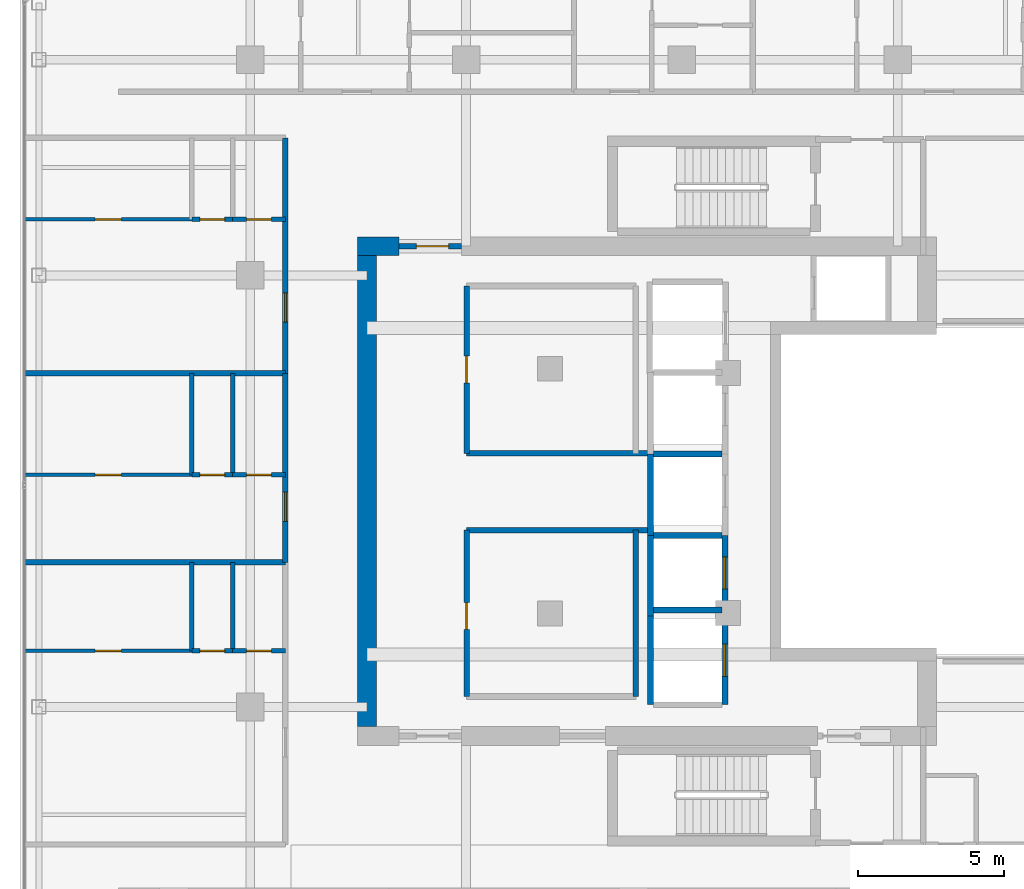
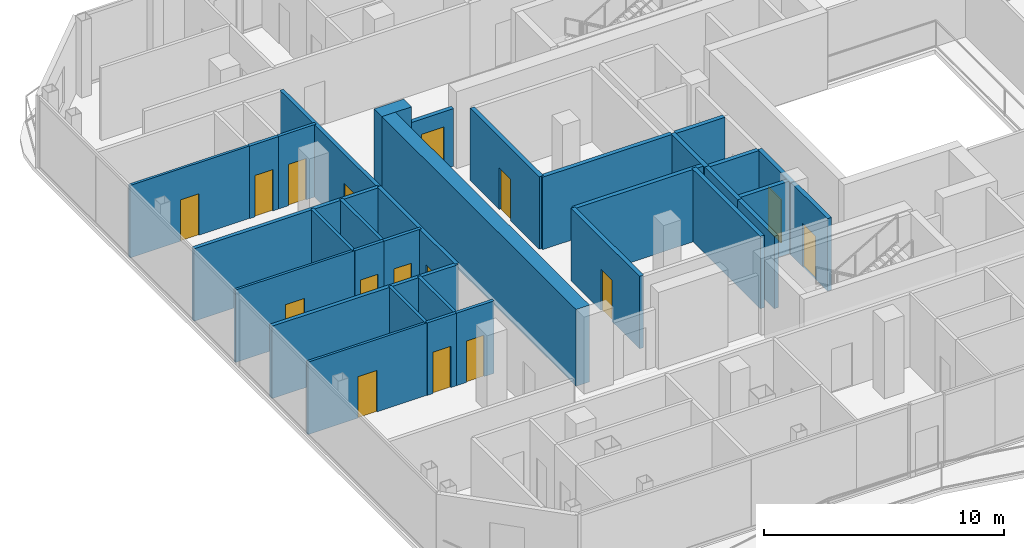
# One storey, part 17 of 23: 33 walls, 16 doors, 16 openings.
"""IFC4 building model written with IfcOpenShell, lengths in metres."""

from ifc_helpers import new_model, si_unit, direction, frame, frame_2d, origin, place, context, subcontext, project, spatial, rectangle, extrude, material, layer, layer_set, type_object, element, fill, save


model = new_model("IFC4")

# Units and contexts
model_context = context("Model", 3, precision=1e-05, world=origin(), true_north=direction((0.0, 1.0)))
body_context = subcontext(model_context, "Body", "Model", "MODEL_VIEW")
ifc_project = project(units=[si_unit("LENGTHUNIT", "METRE"), si_unit("AREAUNIT", "SQUARE_METRE"), si_unit("VOLUMEUNIT", "CUBIC_METRE"), si_unit("PLANEANGLEUNIT", "RADIAN"), si_unit("MASSUNIT", "GRAM", prefix="KILO")], contexts=[model_context])

# Site, building, storey
site_placement = place(None, origin())
site = spatial("IfcSite", under=ifc_project, at=site_placement, CompositionType="ELEMENT")
building_placement = place(site_placement, origin())
building = spatial("IfcBuilding", under=site, at=building_placement, Name="Khorvyn Point Tower", CompositionType="ELEMENT")
storey_placement = place(building_placement, frame((0.0, 0.0, 297.60009765625)))
storey = spatial("IfcBuildingStorey", under=building, at=storey_placement, Name="L73", CompositionType="ELEMENT", Elevation=297.60009765625)

# Wall, opening, door
ifc_material_1 = material(Name="Double acoustic gypsum on twin steel stud", Category="steel")
ifc_layer_1 = layer(ifc_material_1, 0.179931640625)
ifc_layer_set_1 = layer_set([ifc_layer_1], Name="Acoustic Double-Stud Apartment Demising Wall 180")
wall_type_1 = type_object("IfcWallType", Name="Acoustic Double-Stud Apartment Demising Wall 180", PredefinedType="PARTITIONING", material=ifc_layer_set_1)
wall_1_placement = place(storey_placement, frame((-13.60009765625, -2.43994140625, 0.0), z_axis=(0.0, 0.0, 1.0), x_axis=(0.0, 1.0, 0.0)))
wall_1 = element("IfcWall", 1, at=wall_1_placement, inside=storey, type_object=wall_type_1, Name="Wall", PredefinedType="PARTITIONING", context=body_context, shape_type="SweptSolid", body=[
    extrude(rectangle(XDim=6.47998046875, YDim=0.179931640625, at=frame_2d((3.239990234375, 0.0))), origin(), (0.0, 0.0, 1.0), 3.679931640625),
])
opening_1_placement = place(wall_1_placement, frame((1.405517578125, 0.0, 0.0)))
opening_1 = element("IfcOpeningElement", 2, at=opening_1_placement, cuts=wall_1, Name="Opening ID-AP60", PredefinedType="OPENING", context=body_context, shape_type="SweptSolid", body=[
    extrude(rectangle(XDim=1.0, YDim=2.199951171875, at=frame_2d((0.5, 1.10009765625))), frame((0.0, 0.099853515625, 0.0), z_axis=(0.0, -1.0, 0.0), x_axis=(1.0, 0.0, 0.0)), (0.0, 0.0, 1.0), 0.199951171875),
])
ifc_material_2 = material(Name="Engineered hardwood fire-rated leaf", Category="wood")
door_type_1 = type_object("IfcDoorType", Name="Acoustic Solid-Core Timber Apartment Entrance Door 1000x2200", OperationType="NOTDEFINED", PredefinedType="DOOR", material=ifc_material_2)
door_1_placement = place(opening_1_placement, origin())
door_1 = element("IfcDoor", 3, at=door_1_placement, inside=storey, type_object=door_type_1, Name="Door", OperationType="SINGLE_SWING_LEFT", OverallHeight=2.199951171875, OverallWidth=1.0, PredefinedType="DOOR", context=body_context, shape_type="SweptSolid", body=[
    extrude(rectangle(XDim=1.0, YDim=2.199951171875, at=frame_2d((0.5, 1.10009765625))), frame((0.0, 0.02490234375, 0.0), z_axis=(0.0, -1.0, 0.0), x_axis=(1.0, 0.0, 0.0)), (0.0, 0.0, 1.0), 0.050048828125),
])
fill(opening_1, door_1)

wall_2_placement = place(storey_placement, frame((-13.60009765625, 4.0400390625, 0.0), z_axis=(0.0, 0.0, 1.0), x_axis=(0.0, 1.0, 0.0)))
wall_2 = element("IfcWall", 4, at=wall_2_placement, inside=storey, type_object=wall_type_1, Name="Wall", PredefinedType="PARTITIONING", context=body_context, shape_type="SweptSolid", body=[
    extrude(rectangle(XDim=8.080078125, YDim=0.179931640625, at=frame_2d((4.0400390625, 0.0))), origin(), (0.0, 0.0, 1.0), 3.679931640625),
])
opening_2_placement = place(wall_2_placement, frame((1.760986328125, 0.0, 0.0)))
opening_2 = element("IfcOpeningElement", 5, at=opening_2_placement, cuts=wall_2, Name="Opening ID-AP60", PredefinedType="OPENING", context=body_context, shape_type="SweptSolid", body=[
    extrude(rectangle(XDim=1.0, YDim=2.199951171875, at=frame_2d((0.5, 1.10009765625))), frame((0.0, 0.099853515625, 0.0), z_axis=(0.0, -1.0, 0.0), x_axis=(1.0, 0.0, 0.0)), (0.0, 0.0, 1.0), 0.199951171875),
])
door_2_placement = place(opening_2_placement, origin())
door_2 = element("IfcDoor", 6, at=door_2_placement, inside=storey, type_object=door_type_1, Name="Door", OperationType="SINGLE_SWING_LEFT", OverallHeight=2.199951171875, OverallWidth=1.0, PredefinedType="DOOR", context=body_context, shape_type="SweptSolid", body=[
    extrude(rectangle(XDim=1.0, YDim=2.199951171875, at=frame_2d((0.5, 1.10009765625))), frame((0.0, 0.02490234375, 0.0), z_axis=(0.0, -1.0, 0.0), x_axis=(1.0, 0.0, 0.0)), (0.0, 0.0, 1.0), 0.050048828125),
])
fill(opening_2, door_2)

# Walls
for number, where, z_axis, x_axis, name in (
    (7, (-22.530029296875, -2.43994140625, 0.0), (0.0, 0.0, 1.0), (1.0, 0.0, 0.0), "Wall"),
    (8, (-22.530029296875, 4.0400390625, 0.0), (0.0, 0.0, 1.0), (1.0, 0.0, 0.0), "Wall"),
):
    element("IfcWall", number, at=place(storey_placement, frame(where, z_axis=z_axis, x_axis=x_axis)), inside=storey, type_object=wall_type_1, Name=name, PredefinedType="PARTITIONING", context=body_context, shape_type="SweptSolid", body=[
        extrude(rectangle(XDim=8.929931640625, YDim=0.179931640625, at=frame_2d((4.46484375, 0.0))), origin(), (0.0, 0.0, 1.0), 3.679931640625),
    ])
ifc_material_3 = material(Name="Concrete C40/50", Category="concrete")
ifc_layer_2 = layer(ifc_material_3, 0.64990234375)
ifc_layer_set_2 = layer_set([ifc_layer_2], Name="Concrete C40/50 Core Shear Wall 650")
wall_type_2 = type_object("IfcWallType", Name="Concrete C40/50 Core Shear Wall 650", PredefinedType="SHEAR", material=ifc_layer_set_2)
wall_3_placement = place(storey_placement, frame((-11.125, 8.39990234375, 0.0), z_axis=(0.0, 0.0, 1.0), x_axis=(1.0, 0.0, 0.0)))
element("IfcWall", 9, at=wall_3_placement, inside=storey, type_object=wall_type_2, Name="Wall", PredefinedType="SHEAR", context=body_context, shape_type="SweptSolid", body=[
    extrude(rectangle(XDim=1.425048828125, YDim=0.64990234375, at=frame_2d((0.71240234375, 0.0))), origin(), (0.0, 0.0, 1.0), 3.89990234375),
])
wall_4_placement = place(storey_placement, frame((-10.800048828125, -8.074951171875, 0.0), z_axis=(0.0, 0.0, 1.0), x_axis=(0.0, 1.0, 0.0)))
element("IfcWall", 10, at=wall_4_placement, inside=storey, type_object=wall_type_2, Name="Wall", PredefinedType="SHEAR", context=body_context, shape_type="SweptSolid", body=[
    extrude(rectangle(XDim=16.14990234375, YDim=0.64990234375, at=frame_2d((8.074951171875, 0.0))), origin(), (0.0, 0.0, 1.0), 3.89990234375),
])

# Wall, opening, door
ifc_layer_3 = layer(ifc_material_3, 0.199951171875)
ifc_layer_set_3 = layer_set([ifc_layer_3], Name="Concrete C40/50 Fire-Lobby Compartment Wall 200")
wall_type_3 = type_object("IfcWallType", Name="Concrete C40/50 Fire-Lobby Compartment Wall 200", PredefinedType="SOLIDWALL", material=ifc_layer_set_3)
wall_5_placement = place(storey_placement, frame((-9.699951171875, 8.39990234375, 0.0), z_axis=(0.0, 0.0, 1.0), x_axis=(1.0, 0.0, 0.0)))
wall_5 = element("IfcWall", 11, at=wall_5_placement, inside=storey, type_object=wall_type_3, Name="Wall", PredefinedType="SOLIDWALL", context=body_context, shape_type="SweptSolid", body=[
    extrude(rectangle(XDim=2.14990234375, YDim=0.199951171875, at=frame_2d((1.074951171875, 0.0))), origin(), (0.0, 0.0, 1.0), 2.919921875),
])
opening_3_placement = place(wall_5_placement, frame((0.597900390625, 0.0, 0.0)))
opening_3 = element("IfcOpeningElement", 12, at=opening_3_placement, cuts=wall_5, Name="Opening ID-FL90", PredefinedType="OPENING", context=body_context, shape_type="SweptSolid", body=[
    extrude(rectangle(XDim=1.10009765625, YDim=2.14990234375, at=frame_2d((0.550048828125, 1.074951171875))), frame((0.0, 0.10986328125, 0.0), z_axis=(0.0, -1.0, 0.0), x_axis=(1.0, 0.0, 0.0)), (0.0, 0.0, 1.0), 0.219970703125),
])
ifc_material_4 = material(Name="Galvanised powder-coated steel", Category="steel")
door_type_2 = type_object("IfcDoorType", Name="Fire-Rated Steel Lobby and Stair Door 1100x2150", OperationType="NOTDEFINED", PredefinedType="DOOR", material=ifc_material_4)
door_3_placement = place(opening_3_placement, origin())
door_3 = element("IfcDoor", 13, at=door_3_placement, inside=storey, type_object=door_type_2, Name="Door", OperationType="SINGLE_SWING_RIGHT", OverallHeight=2.14990234375, OverallWidth=1.10009765625, PredefinedType="DOOR", context=body_context, shape_type="SweptSolid", body=[
    extrude(rectangle(XDim=1.10009765625, YDim=2.14990234375, at=frame_2d((0.550048828125, 1.074951171875))), frame((0.0, 0.02490234375, 0.0), z_axis=(0.0, -1.0, 0.0), x_axis=(1.0, 0.0, 0.0)), (0.0, 0.0, 1.0), 0.050048828125),
])
fill(opening_3, door_3)

wall_6_placement = place(storey_placement, frame((-7.3798828125, -7.0400390625, 0.0), z_axis=(0.0, 0.0, 1.0), x_axis=(0.0, 1.0, 0.0)))
wall_6 = element("IfcWall", 14, at=wall_6_placement, inside=storey, type_object=wall_type_3, Name="Wall", PredefinedType="SOLIDWALL", context=body_context, shape_type="SweptSolid", body=[
    extrude(rectangle(XDim=5.699951171875, YDim=0.199951171875, at=frame_2d((2.85009765625, 0.0))), origin(), (0.0, 0.0, 1.0), 3.679931640625),
])
opening_4_placement = place(wall_6_placement, frame((2.30078125, 0.0, 0.0)))
opening_4 = element("IfcOpeningElement", 15, at=opening_4_placement, cuts=wall_6, Name="Opening ID-RS60", PredefinedType="OPENING", context=body_context, shape_type="SweptSolid", body=[
    extrude(rectangle(XDim=0.919921875, YDim=2.10009765625, at=frame_2d((0.4599609375, 1.050048828125))), frame((0.0, 0.10986328125, 0.0), z_axis=(0.0, -1.0, 0.0), x_axis=(1.0, 0.0, 0.0)), (0.0, 0.0, 1.0), 0.219970703125),
])
door_type_3 = type_object("IfcDoorType", Name="Fire-Rated Riser and Store Steel Door 920x2100", OperationType="NOTDEFINED", PredefinedType="DOOR", material=ifc_material_4)
door_4_placement = place(opening_4_placement, origin())
door_4 = element("IfcDoor", 16, at=door_4_placement, inside=storey, type_object=door_type_3, Name="Door", OperationType="SINGLE_SWING_LEFT", OverallHeight=2.10009765625, OverallWidth=0.919921875, PredefinedType="DOOR", context=body_context, shape_type="SweptSolid", body=[
    extrude(rectangle(XDim=0.919921875, YDim=2.10009765625, at=frame_2d((0.4599609375, 1.050048828125))), frame((0.0, 0.02490234375, 0.0), z_axis=(0.0, -1.0, 0.0), x_axis=(1.0, 0.0, 0.0)), (0.0, 0.0, 1.0), 0.050048828125),
])
fill(opening_4, door_4)

wall_7_placement = place(storey_placement, frame((-7.3798828125, 1.300048828125, 0.0), z_axis=(0.0, 0.0, 1.0), x_axis=(0.0, 1.0, 0.0)))
wall_7 = element("IfcWall", 17, at=wall_7_placement, inside=storey, type_object=wall_type_3, Name="Wall", PredefinedType="SOLIDWALL", context=body_context, shape_type="SweptSolid", body=[
    extrude(rectangle(XDim=5.739990234375, YDim=0.199951171875, at=frame_2d((2.8701171875, 0.0))), origin(), (0.0, 0.0, 1.0), 3.679931640625),
])
opening_5_placement = place(wall_7_placement, frame((2.409912109375, 0.0, 0.0)))
opening_5 = element("IfcOpeningElement", 18, at=opening_5_placement, cuts=wall_7, Name="Opening ID-RS60", PredefinedType="OPENING", context=body_context, shape_type="SweptSolid", body=[
    extrude(rectangle(XDim=0.919921875, YDim=2.10009765625, at=frame_2d((0.4599609375, 1.050048828125))), frame((0.0, 0.10986328125, 0.0), z_axis=(0.0, -1.0, 0.0), x_axis=(1.0, 0.0, 0.0)), (0.0, 0.0, 1.0), 0.219970703125),
])
door_5_placement = place(opening_5_placement, origin())
door_5 = element("IfcDoor", 19, at=door_5_placement, inside=storey, type_object=door_type_3, Name="Door", OperationType="SINGLE_SWING_RIGHT", OverallHeight=2.10009765625, OverallWidth=0.919921875, PredefinedType="DOOR", context=body_context, shape_type="SweptSolid", body=[
    extrude(rectangle(XDim=0.919921875, YDim=2.10009765625, at=frame_2d((0.4599609375, 1.050048828125))), frame((0.0, 0.02490234375, 0.0), z_axis=(0.0, -1.0, 0.0), x_axis=(1.0, 0.0, 0.0)), (0.0, 0.0, 1.0), 0.050048828125),
])
fill(opening_5, door_5)

# Walls
for number, where, z_axis, x_axis, name in (
    (20, (-7.3798828125, -1.340087890625, 0.0), (0.0, 0.0, 1.0), (1.0, 0.0, 0.0), "Wall"),
    (21, (-7.3798828125, 1.300048828125, 0.0), (0.0, 0.0, 1.0), (1.0, 0.0, 0.0), "Wall"),
):
    element("IfcWall", number, at=place(storey_placement, frame(where, z_axis=z_axis, x_axis=x_axis)), inside=storey, type_object=wall_type_3, Name=name, PredefinedType="SOLIDWALL", context=body_context, shape_type="SweptSolid", body=[
        extrude(rectangle(XDim=6.239990234375, YDim=0.199951171875, at=frame_2d((3.1201171875, 0.0))), origin(), (0.0, 0.0, 1.0), 3.679931640625),
    ])
wall_8_placement = place(storey_placement, frame((-1.580078125, -7.0400390625, 0.0), z_axis=(0.0, 0.0, 1.0), x_axis=(0.0, 1.0, 0.0)))
element("IfcWall", 22, at=wall_8_placement, inside=storey, type_object=wall_type_3, Name="Wall", PredefinedType="SOLIDWALL", context=body_context, shape_type="SweptSolid", body=[
    extrude(rectangle(XDim=5.699951171875, YDim=0.199951171875, at=frame_2d((2.85009765625, 0.0))), origin(), (0.0, 0.0, 1.0), 3.679931640625),
])
ifc_layer_4 = layer(ifc_material_3, 0.199951171875)
ifc_layer_set_4 = layer_set([ifc_layer_4], Name="Concrete C40/50 Structural Hoistway and Stair Shaft Wall 200")
wall_type_4 = type_object("IfcWallType", Name="Concrete C40/50 Structural Hoistway and Stair Shaft Wall 200", PredefinedType="SHEAR", material=ifc_layer_set_4)
wall_9_placement = place(storey_placement, frame((-1.074951171875, -4.27490234375, 0.0), z_axis=(0.0, 0.0, 1.0), x_axis=(0.0, 1.0, 0.0)))
element("IfcWall", 23, at=wall_9_placement, inside=storey, type_object=wall_type_4, Name="Wall", PredefinedType="SHEAR", context=body_context, shape_type="SweptSolid", body=[
    extrude(rectangle(XDim=2.75, YDim=0.199951171875, at=frame_2d((1.375, 0.0))), origin(), (0.0, 0.0, 1.0), 3.679931640625),
])

# Wall, opening, door
wall_10_placement = place(storey_placement, frame((1.47509765625, -4.27490234375, 0.0), z_axis=(0.0, 0.0, 1.0), x_axis=(0.0, 1.0, 0.0)))
wall_10 = element("IfcWall", 24, at=wall_10_placement, inside=storey, type_object=wall_type_4, Name="Wall", PredefinedType="SHEAR", context=body_context, shape_type="SweptSolid", body=[
    extrude(rectangle(XDim=2.75, YDim=0.199951171875, at=frame_2d((1.375, 0.0))), origin(), (0.0, 0.0, 1.0), 3.679931640625),
])
opening_6_placement = place(wall_10_placement, frame((0.925048828125, 0.0, 0.0)))
opening_6 = element("IfcOpeningElement", 25, at=opening_6_placement, cuts=wall_10, Name="Opening LD-1122", PredefinedType="OPENING", context=body_context, shape_type="SweptSolid", body=[
    extrude(rectangle(XDim=1.10009765625, YDim=2.199951171875, at=frame_2d((0.550048828125, 1.10009765625))), frame((0.0, 0.10986328125, 0.0), z_axis=(0.0, -1.0, 0.0), x_axis=(1.0, 0.0, 0.0)), (0.0, 0.0, 1.0), 0.219970703125),
])
ifc_material_5 = material(Name="Stainless steel 1.4301", Category="steel")
door_type_4 = type_object("IfcDoorType", Name="Stainless Steel Automatic Sliding Lift Landing Door 1100x2200", OperationType="SLIDING_TO_LEFT", PredefinedType="DOOR", material=ifc_material_5)
door_6_placement = place(opening_6_placement, origin())
door_6 = element("IfcDoor", 26, at=door_6_placement, inside=storey, type_object=door_type_4, Name="L73 RH-01 Sliding Lift Landing Door", OperationType="SLIDING_TO_LEFT", OverallHeight=2.199951171875, OverallWidth=1.10009765625, PredefinedType="DOOR", context=body_context, shape_type="SweptSolid", body=[
    extrude(rectangle(XDim=1.10009765625, YDim=2.199951171875, at=frame_2d((0.550048828125, 1.10009765625))), frame((0.0, 0.02490234375, 0.0), z_axis=(0.0, -1.0, 0.0), x_axis=(1.0, 0.0, 0.0)), (0.0, 0.0, 1.0), 0.050048828125),
])
fill(opening_6, door_6)

# Walls
for number, where, z_axis, x_axis, name in (
    (27, (-0.97509765625, -4.074951171875, 0.0), (0.0, 0.0, 1.0), (1.0, 0.0, 0.0), "Wall"),
    (28, (-0.97509765625, -1.52490234375, 0.0), (0.0, 0.0, 1.0), (1.0, 0.0, 0.0), "Wall"),
):
    element("IfcWall", number, at=place(storey_placement, frame(where, z_axis=z_axis, x_axis=x_axis)), inside=storey, type_object=wall_type_4, Name=name, PredefinedType="SHEAR", context=body_context, shape_type="SweptSolid", body=[
        extrude(rectangle(XDim=2.35009765625, YDim=0.199951171875, at=frame_2d((1.175048828125, 0.0))), origin(), (0.0, 0.0, 1.0), 3.679931640625),
    ])
wall_11_placement = place(storey_placement, frame((-1.074951171875, -1.52490234375, 0.0), z_axis=(0.0, 0.0, 1.0), x_axis=(0.0, 1.0, 0.0)))
element("IfcWall", 29, at=wall_11_placement, inside=storey, type_object=wall_type_4, Name="Wall", PredefinedType="SHEAR", context=body_context, shape_type="SweptSolid", body=[
    extrude(rectangle(XDim=2.7998046875, YDim=0.199951171875, at=frame_2d((1.39990234375, 0.0))), origin(), (0.0, 0.0, 1.0), 3.679931640625),
])
wall_12_placement = place(storey_placement, frame((-0.97509765625, 1.27490234375, 0.0), z_axis=(0.0, 0.0, 1.0), x_axis=(1.0, 0.0, 0.0)))
element("IfcWall", 30, at=wall_12_placement, inside=storey, type_object=wall_type_4, Name="Wall", PredefinedType="SHEAR", context=body_context, shape_type="SweptSolid", body=[
    extrude(rectangle(XDim=2.35009765625, YDim=0.199951171875, at=frame_2d((1.175048828125, 0.0))), origin(), (0.0, 0.0, 1.0), 3.679931640625),
])
wall_13_placement = place(storey_placement, frame((-1.074951171875, -7.324951171875, 0.0), z_axis=(0.0, 0.0, 1.0), x_axis=(0.0, 1.0, 0.0)))
element("IfcWall", 31, at=wall_13_placement, inside=storey, type_object=wall_type_4, Name="Wall", PredefinedType="SHEAR", context=body_context, shape_type="SweptSolid", body=[
    extrude(rectangle(XDim=3.050048828125, YDim=0.199951171875, at=frame_2d((1.52490234375, 0.0))), origin(), (0.0, 0.0, 1.0), 3.679931640625),
])

# Wall, opening, door
wall_14_placement = place(storey_placement, frame((1.47509765625, -7.324951171875, 0.0), z_axis=(0.0, 0.0, 1.0), x_axis=(0.0, 1.0, 0.0)))
wall_14 = element("IfcWall", 32, at=wall_14_placement, inside=storey, type_object=wall_type_4, Name="Wall", PredefinedType="SHEAR", context=body_context, shape_type="SweptSolid", body=[
    extrude(rectangle(XDim=3.050048828125, YDim=0.199951171875, at=frame_2d((1.52490234375, 0.0))), origin(), (0.0, 0.0, 1.0), 3.679931640625),
])
opening_7_placement = place(wall_14_placement, frame((0.97509765625, 0.0, 0.0)))
opening_7 = element("IfcOpeningElement", 33, at=opening_7_placement, cuts=wall_14, Name="Opening LD-1122", PredefinedType="OPENING", context=body_context, shape_type="SweptSolid", body=[
    extrude(rectangle(XDim=1.10009765625, YDim=2.199951171875, at=frame_2d((0.550048828125, 1.10009765625))), frame((0.0, 0.10986328125, 0.0), z_axis=(0.0, -1.0, 0.0), x_axis=(1.0, 0.0, 0.0)), (0.0, 0.0, 1.0), 0.219970703125),
])
door_7_placement = place(opening_7_placement, origin())
door_7 = element("IfcDoor", 34, at=door_7_placement, inside=storey, type_object=door_type_4, Name="L73 FF-01 Sliding Lift Landing Door", OperationType="SLIDING_TO_LEFT", OverallHeight=2.199951171875, OverallWidth=1.10009765625, PredefinedType="DOOR", context=body_context, shape_type="SweptSolid", body=[
    extrude(rectangle(XDim=1.10009765625, YDim=2.199951171875, at=frame_2d((0.550048828125, 1.10009765625))), frame((0.0, 0.02490234375, 0.0), z_axis=(0.0, -1.0, 0.0), x_axis=(1.0, 0.0, 0.0)), (0.0, 0.0, 1.0), 0.050048828125),
])
fill(opening_7, door_7)

ifc_material_6 = material(Name="Gypsum plasterboard on steel stud", Category="steel")
ifc_layer_5 = layer(ifc_material_6, 0.1201171875)
ifc_layer_set_5 = layer_set([ifc_layer_5], Name="Gypsum Acoustic Stud Room Partition Wall 120")
wall_type_5 = type_object("IfcWallType", Name="Gypsum Acoustic Stud Room Partition Wall 120", PredefinedType="PARTITIONING", material=ifc_layer_set_5)
wall_15_placement = place(storey_placement, frame((-22.530029296875, -5.47509765625, 0.0), z_axis=(0.0, 0.0, 1.0), x_axis=(1.0, 0.0, 0.0)))
wall_15 = element("IfcWall", 35, at=wall_15_placement, inside=storey, type_object=wall_type_5, Name="Wall", PredefinedType="PARTITIONING", context=body_context, shape_type="SweptSolid", body=[
    extrude(rectangle(XDim=5.720947265625, YDim=0.1201171875, at=frame_2d((2.8603515625, 0.0))), origin(), (0.0, 0.0, 1.0), 3.679931640625),
])
opening_8_placement = place(wall_15_placement, frame((2.410400390625, 0.0, 0.0)))
opening_8 = element("IfcOpeningElement", 36, at=opening_8_placement, cuts=wall_15, Name="Opening ID-RM90", PredefinedType="OPENING", context=body_context, shape_type="SweptSolid", body=[
    extrude(rectangle(XDim=0.89990234375, YDim=2.10009765625, at=frame_2d((0.449951171875, 1.050048828125))), frame((0.0, 0.070068359375, 0.0), z_axis=(0.0, -1.0, 0.0), x_axis=(1.0, 0.0, 0.0)), (0.0, 0.0, 1.0), 0.14013671875),
])
ifc_material_7 = material(Name="Engineered oak veneer timber", Category="wood")
door_type_5 = type_object("IfcDoorType", Name="Flush Engineered Timber Room Door 900x2100", OperationType="NOTDEFINED", PredefinedType="DOOR", material=ifc_material_7)
door_8_placement = place(opening_8_placement, origin())
door_8 = element("IfcDoor", 37, at=door_8_placement, inside=storey, type_object=door_type_5, Name="Door", OperationType="SINGLE_SWING_RIGHT", OverallHeight=2.10009765625, OverallWidth=0.89990234375, PredefinedType="DOOR", context=body_context, shape_type="SweptSolid", body=[
    extrude(rectangle(XDim=0.89990234375, YDim=2.10009765625, at=frame_2d((0.449951171875, 1.050048828125))), frame((0.0, 0.02490234375, 0.0), z_axis=(0.0, -1.0, 0.0), x_axis=(1.0, 0.0, 0.0)), (0.0, 0.0, 1.0), 0.050048828125),
])
fill(opening_8, door_8)

wall_16_placement = place(storey_placement, frame((-22.530029296875, 0.56005859375, 0.0), z_axis=(0.0, 0.0, 1.0), x_axis=(1.0, 0.0, 0.0)))
wall_16 = element("IfcWall", 38, at=wall_16_placement, inside=storey, type_object=wall_type_5, Name="Wall", PredefinedType="PARTITIONING", context=body_context, shape_type="SweptSolid", body=[
    extrude(rectangle(XDim=5.720947265625, YDim=0.1201171875, at=frame_2d((2.8603515625, 0.0))), origin(), (0.0, 0.0, 1.0), 3.679931640625),
])
opening_9_placement = place(wall_16_placement, frame((2.410400390625, 0.0, 0.0)))
opening_9 = element("IfcOpeningElement", 39, at=opening_9_placement, cuts=wall_16, Name="Opening ID-RM90", PredefinedType="OPENING", context=body_context, shape_type="SweptSolid", body=[
    extrude(rectangle(XDim=0.89990234375, YDim=2.10009765625, at=frame_2d((0.449951171875, 1.050048828125))), frame((0.0, 0.070068359375, 0.0), z_axis=(0.0, -1.0, 0.0), x_axis=(1.0, 0.0, 0.0)), (0.0, 0.0, 1.0), 0.14013671875),
])
door_9_placement = place(opening_9_placement, origin())
door_9 = element("IfcDoor", 40, at=door_9_placement, inside=storey, type_object=door_type_5, Name="Door", OperationType="SINGLE_SWING_RIGHT", OverallHeight=2.10009765625, OverallWidth=0.89990234375, PredefinedType="DOOR", context=body_context, shape_type="SweptSolid", body=[
    extrude(rectangle(XDim=0.89990234375, YDim=2.10009765625, at=frame_2d((0.449951171875, 1.050048828125))), frame((0.0, 0.02490234375, 0.0), z_axis=(0.0, -1.0, 0.0), x_axis=(1.0, 0.0, 0.0)), (0.0, 0.0, 1.0), 0.050048828125),
])
fill(opening_9, door_9)

wall_17_placement = place(storey_placement, frame((-22.530029296875, 9.320068359375, 0.0), z_axis=(0.0, 0.0, 1.0), x_axis=(1.0, 0.0, 0.0)))
wall_17 = element("IfcWall", 41, at=wall_17_placement, inside=storey, type_object=wall_type_5, Name="Wall", PredefinedType="PARTITIONING", context=body_context, shape_type="SweptSolid", body=[
    extrude(rectangle(XDim=5.720947265625, YDim=0.1201171875, at=frame_2d((2.8603515625, 0.0))), origin(), (0.0, 0.0, 1.0), 3.679931640625),
])
opening_10_placement = place(wall_17_placement, frame((2.410400390625, 0.0, 0.0)))
opening_10 = element("IfcOpeningElement", 42, at=opening_10_placement, cuts=wall_17, Name="Opening ID-RM90", PredefinedType="OPENING", context=body_context, shape_type="SweptSolid", body=[
    extrude(rectangle(XDim=0.89990234375, YDim=2.10009765625, at=frame_2d((0.449951171875, 1.050048828125))), frame((0.0, 0.070068359375, 0.0), z_axis=(0.0, -1.0, 0.0), x_axis=(1.0, 0.0, 0.0)), (0.0, 0.0, 1.0), 0.14013671875),
])
door_10_placement = place(opening_10_placement, origin())
door_10 = element("IfcDoor", 43, at=door_10_placement, inside=storey, type_object=door_type_5, Name="Door", OperationType="SINGLE_SWING_RIGHT", OverallHeight=2.10009765625, OverallWidth=0.89990234375, PredefinedType="DOOR", context=body_context, shape_type="SweptSolid", body=[
    extrude(rectangle(XDim=0.89990234375, YDim=2.10009765625, at=frame_2d((0.449951171875, 1.050048828125))), frame((0.0, 0.02490234375, 0.0), z_axis=(0.0, -1.0, 0.0), x_axis=(1.0, 0.0, 0.0)), (0.0, 0.0, 1.0), 0.050048828125),
])
fill(opening_10, door_10)

ifc_material_8 = material(Name="Moisture-resistant gypsum and cement board", Category="gypsum")
ifc_layer_6 = layer(ifc_material_8, 0.14990234375)
ifc_layer_set_6 = layer_set([ifc_layer_6], Name="Moisture-Resistant Wet-Room Partition Wall 150")
wall_type_6 = type_object("IfcWallType", Name="Moisture-Resistant Wet-Room Partition Wall 150", PredefinedType="PARTITIONING", material=ifc_layer_set_6)
wall_18_placement = place(storey_placement, frame((-16.80908203125, -5.47509765625, 0.0), z_axis=(0.0, 0.0, 1.0), x_axis=(1.0, 0.0, 0.0)))
wall_18 = element("IfcWall", 44, at=wall_18_placement, inside=storey, type_object=wall_type_6, Name="Wall", PredefinedType="PARTITIONING", context=body_context, shape_type="SweptSolid", body=[
    extrude(rectangle(XDim=1.400146484375, YDim=0.14990234375, at=frame_2d((0.7001953125, 0.0))), origin(), (0.0, 0.0, 1.0), 3.679931640625),
])
opening_11_placement = place(wall_18_placement, frame((0.27490234375, 0.0, 0.0)))
opening_11 = element("IfcOpeningElement", 45, at=opening_11_placement, cuts=wall_18, Name="Opening ID-WC85", PredefinedType="OPENING", context=body_context, shape_type="SweptSolid", body=[
    extrude(rectangle(XDim=0.85009765625, YDim=2.10009765625, at=frame_2d((0.425048828125, 1.050048828125))), frame((0.0, 0.0849609375, 0.0), z_axis=(0.0, -1.0, 0.0), x_axis=(1.0, 0.0, 0.0)), (0.0, 0.0, 1.0), 0.169921875),
])
ifc_material_9 = material(Name="High-pressure laminate on moisture-resistant core", Category="wood")
door_type_6 = type_object("IfcDoorType", Name="Moisture-Resistant Accessible Washroom Door 850x2100", OperationType="NOTDEFINED", PredefinedType="DOOR", material=ifc_material_9)
door_11_placement = place(opening_11_placement, origin())
door_11 = element("IfcDoor", 46, at=door_11_placement, inside=storey, type_object=door_type_6, Name="Door", OperationType="SINGLE_SWING_RIGHT", OverallHeight=2.10009765625, OverallWidth=0.85009765625, PredefinedType="DOOR", context=body_context, shape_type="SweptSolid", body=[
    extrude(rectangle(XDim=0.85009765625, YDim=2.10009765625, at=frame_2d((0.425048828125, 1.050048828125))), frame((0.0, 0.02490234375, 0.0), z_axis=(0.0, -1.0, 0.0), x_axis=(1.0, 0.0, 0.0)), (0.0, 0.0, 1.0), 0.050048828125),
])
fill(opening_11, door_11)

wall_19_placement = place(storey_placement, frame((-15.408935546875, -5.47509765625, 0.0), z_axis=(0.0, 0.0, 1.0), x_axis=(1.0, 0.0, 0.0)))
wall_19 = element("IfcWall", 47, at=wall_19_placement, inside=storey, type_object=wall_type_6, Name="Wall", PredefinedType="PARTITIONING", context=body_context, shape_type="SweptSolid", body=[
    extrude(rectangle(XDim=1.808837890625, YDim=0.14990234375, at=frame_2d((0.904296875, 0.0))), origin(), (0.0, 0.0, 1.0), 3.679931640625),
])
opening_12_placement = place(wall_19_placement, frame((0.4794921875, 0.0, 0.0)))
opening_12 = element("IfcOpeningElement", 48, at=opening_12_placement, cuts=wall_19, Name="Opening ID-WC85", PredefinedType="OPENING", context=body_context, shape_type="SweptSolid", body=[
    extrude(rectangle(XDim=0.85009765625, YDim=2.10009765625, at=frame_2d((0.425048828125, 1.050048828125))), frame((0.0, 0.0849609375, 0.0), z_axis=(0.0, -1.0, 0.0), x_axis=(1.0, 0.0, 0.0)), (0.0, 0.0, 1.0), 0.169921875),
])
door_12_placement = place(opening_12_placement, origin())
door_12 = element("IfcDoor", 49, at=door_12_placement, inside=storey, type_object=door_type_6, Name="Door", OperationType="SINGLE_SWING_LEFT", OverallHeight=2.10009765625, OverallWidth=0.85009765625, PredefinedType="DOOR", context=body_context, shape_type="SweptSolid", body=[
    extrude(rectangle(XDim=0.85009765625, YDim=2.10009765625, at=frame_2d((0.425048828125, 1.050048828125))), frame((0.0, 0.02490234375, 0.0), z_axis=(0.0, -1.0, 0.0), x_axis=(1.0, 0.0, 0.0)), (0.0, 0.0, 1.0), 0.050048828125),
])
fill(opening_12, door_12)

wall_20_placement = place(storey_placement, frame((-16.80908203125, 0.56005859375, 0.0), z_axis=(0.0, 0.0, 1.0), x_axis=(1.0, 0.0, 0.0)))
wall_20 = element("IfcWall", 50, at=wall_20_placement, inside=storey, type_object=wall_type_6, Name="Wall", PredefinedType="PARTITIONING", context=body_context, shape_type="SweptSolid", body=[
    extrude(rectangle(XDim=1.400146484375, YDim=0.14990234375, at=frame_2d((0.7001953125, 0.0))), origin(), (0.0, 0.0, 1.0), 3.679931640625),
])
opening_13_placement = place(wall_20_placement, frame((0.27490234375, 0.0, 0.0)))
opening_13 = element("IfcOpeningElement", 51, at=opening_13_placement, cuts=wall_20, Name="Opening ID-WC85", PredefinedType="OPENING", context=body_context, shape_type="SweptSolid", body=[
    extrude(rectangle(XDim=0.85009765625, YDim=2.10009765625, at=frame_2d((0.425048828125, 1.050048828125))), frame((0.0, 0.0849609375, 0.0), z_axis=(0.0, -1.0, 0.0), x_axis=(1.0, 0.0, 0.0)), (0.0, 0.0, 1.0), 0.169921875),
])
door_13_placement = place(opening_13_placement, origin())
door_13 = element("IfcDoor", 52, at=door_13_placement, inside=storey, type_object=door_type_6, Name="Door", OperationType="SINGLE_SWING_RIGHT", OverallHeight=2.10009765625, OverallWidth=0.85009765625, PredefinedType="DOOR", context=body_context, shape_type="SweptSolid", body=[
    extrude(rectangle(XDim=0.85009765625, YDim=2.10009765625, at=frame_2d((0.425048828125, 1.050048828125))), frame((0.0, 0.02490234375, 0.0), z_axis=(0.0, -1.0, 0.0), x_axis=(1.0, 0.0, 0.0)), (0.0, 0.0, 1.0), 0.050048828125),
])
fill(opening_13, door_13)

wall_21_placement = place(storey_placement, frame((-15.408935546875, 0.56005859375, 0.0), z_axis=(0.0, 0.0, 1.0), x_axis=(1.0, 0.0, 0.0)))
wall_21 = element("IfcWall", 53, at=wall_21_placement, inside=storey, type_object=wall_type_6, Name="Wall", PredefinedType="PARTITIONING", context=body_context, shape_type="SweptSolid", body=[
    extrude(rectangle(XDim=1.808837890625, YDim=0.14990234375, at=frame_2d((0.904296875, 0.0))), origin(), (0.0, 0.0, 1.0), 3.679931640625),
])
opening_14_placement = place(wall_21_placement, frame((0.4794921875, 0.0, 0.0)))
opening_14 = element("IfcOpeningElement", 54, at=opening_14_placement, cuts=wall_21, Name="Opening ID-WC85", PredefinedType="OPENING", context=body_context, shape_type="SweptSolid", body=[
    extrude(rectangle(XDim=0.85009765625, YDim=2.10009765625, at=frame_2d((0.425048828125, 1.050048828125))), frame((0.0, 0.0849609375, 0.0), z_axis=(0.0, -1.0, 0.0), x_axis=(1.0, 0.0, 0.0)), (0.0, 0.0, 1.0), 0.169921875),
])
door_14_placement = place(opening_14_placement, origin())
door_14 = element("IfcDoor", 55, at=door_14_placement, inside=storey, type_object=door_type_6, Name="Door", OperationType="SINGLE_SWING_LEFT", OverallHeight=2.10009765625, OverallWidth=0.85009765625, PredefinedType="DOOR", context=body_context, shape_type="SweptSolid", body=[
    extrude(rectangle(XDim=0.85009765625, YDim=2.10009765625, at=frame_2d((0.425048828125, 1.050048828125))), frame((0.0, 0.02490234375, 0.0), z_axis=(0.0, -1.0, 0.0), x_axis=(1.0, 0.0, 0.0)), (0.0, 0.0, 1.0), 0.050048828125),
])
fill(opening_14, door_14)

wall_22_placement = place(storey_placement, frame((-16.80908203125, 9.320068359375, 0.0), z_axis=(0.0, 0.0, 1.0), x_axis=(1.0, 0.0, 0.0)))
wall_22 = element("IfcWall", 56, at=wall_22_placement, inside=storey, type_object=wall_type_6, Name="Wall", PredefinedType="PARTITIONING", context=body_context, shape_type="SweptSolid", body=[
    extrude(rectangle(XDim=1.400146484375, YDim=0.14990234375, at=frame_2d((0.7001953125, 0.0))), origin(), (0.0, 0.0, 1.0), 3.679931640625),
])
opening_15_placement = place(wall_22_placement, frame((0.27490234375, 0.0, 0.0)))
opening_15 = element("IfcOpeningElement", 57, at=opening_15_placement, cuts=wall_22, Name="Opening ID-WC85", PredefinedType="OPENING", context=body_context, shape_type="SweptSolid", body=[
    extrude(rectangle(XDim=0.85009765625, YDim=2.10009765625, at=frame_2d((0.425048828125, 1.050048828125))), frame((0.0, 0.0849609375, 0.0), z_axis=(0.0, -1.0, 0.0), x_axis=(1.0, 0.0, 0.0)), (0.0, 0.0, 1.0), 0.169921875),
])
door_15_placement = place(opening_15_placement, origin())
door_15 = element("IfcDoor", 58, at=door_15_placement, inside=storey, type_object=door_type_6, Name="Door", OperationType="SINGLE_SWING_RIGHT", OverallHeight=2.10009765625, OverallWidth=0.85009765625, PredefinedType="DOOR", context=body_context, shape_type="SweptSolid", body=[
    extrude(rectangle(XDim=0.85009765625, YDim=2.10009765625, at=frame_2d((0.425048828125, 1.050048828125))), frame((0.0, 0.02490234375, 0.0), z_axis=(0.0, -1.0, 0.0), x_axis=(1.0, 0.0, 0.0)), (0.0, 0.0, 1.0), 0.050048828125),
])
fill(opening_15, door_15)

wall_23_placement = place(storey_placement, frame((-15.408935546875, 9.320068359375, 0.0), z_axis=(0.0, 0.0, 1.0), x_axis=(1.0, 0.0, 0.0)))
wall_23 = element("IfcWall", 59, at=wall_23_placement, inside=storey, type_object=wall_type_6, Name="Wall", PredefinedType="PARTITIONING", context=body_context, shape_type="SweptSolid", body=[
    extrude(rectangle(XDim=1.808837890625, YDim=0.14990234375, at=frame_2d((0.904296875, 0.0))), origin(), (0.0, 0.0, 1.0), 3.679931640625),
])
opening_16_placement = place(wall_23_placement, frame((0.4794921875, 0.0, 0.0)))
opening_16 = element("IfcOpeningElement", 60, at=opening_16_placement, cuts=wall_23, Name="Opening ID-WC85", PredefinedType="OPENING", context=body_context, shape_type="SweptSolid", body=[
    extrude(rectangle(XDim=0.85009765625, YDim=2.10009765625, at=frame_2d((0.425048828125, 1.050048828125))), frame((0.0, 0.0849609375, 0.0), z_axis=(0.0, -1.0, 0.0), x_axis=(1.0, 0.0, 0.0)), (0.0, 0.0, 1.0), 0.169921875),
])
door_16_placement = place(opening_16_placement, origin())
door_16 = element("IfcDoor", 61, at=door_16_placement, inside=storey, type_object=door_type_6, Name="Door", OperationType="SINGLE_SWING_LEFT", OverallHeight=2.10009765625, OverallWidth=0.85009765625, PredefinedType="DOOR", context=body_context, shape_type="SweptSolid", body=[
    extrude(rectangle(XDim=0.85009765625, YDim=2.10009765625, at=frame_2d((0.425048828125, 1.050048828125))), frame((0.0, 0.02490234375, 0.0), z_axis=(0.0, -1.0, 0.0), x_axis=(1.0, 0.0, 0.0)), (0.0, 0.0, 1.0), 0.050048828125),
])
fill(opening_16, door_16)

# Walls
for number, where, z_axis, x_axis, name in (
    (62, (-15.408935546875, -5.47509765625, 0.0), (0.0, 0.0, 1.0), (0.0, 1.0, 0.0), "Wall"),
    (63, (-16.80908203125, -5.47509765625, 0.0), (0.0, 0.0, 1.0), (0.0, 1.0, 0.0), "Wall"),
):
    element("IfcWall", number, at=place(storey_placement, frame(where, z_axis=z_axis, x_axis=x_axis)), inside=storey, type_object=wall_type_6, Name=name, PredefinedType="PARTITIONING", context=body_context, shape_type="SweptSolid", body=[
        extrude(rectangle(XDim=3.03515625, YDim=0.14990234375, at=frame_2d((1.517578125, 0.0))), origin(), (0.0, 0.0, 1.0), 3.679931640625),
    ])
for number, where, z_axis, x_axis, name in (
    (64, (-15.408935546875, 0.56005859375, 0.0), (0.0, 0.0, 1.0), (0.0, 1.0, 0.0), "Wall"),
    (65, (-16.80908203125, 0.56005859375, 0.0), (0.0, 0.0, 1.0), (0.0, 1.0, 0.0), "Wall"),
):
    element("IfcWall", number, at=place(storey_placement, frame(where, z_axis=z_axis, x_axis=x_axis)), inside=storey, type_object=wall_type_6, Name=name, PredefinedType="PARTITIONING", context=body_context, shape_type="SweptSolid", body=[
        extrude(rectangle(XDim=3.47998046875, YDim=0.14990234375, at=frame_2d((1.739990234375, 0.0))), origin(), (0.0, 0.0, 1.0), 3.679931640625),
    ])

save(model, "model.ifc")
